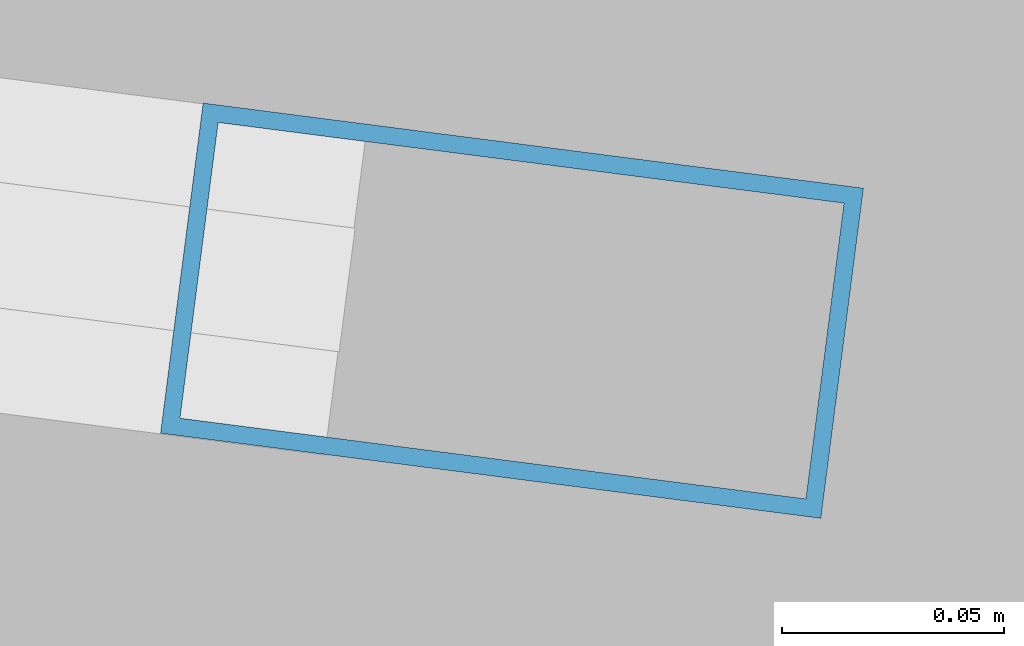
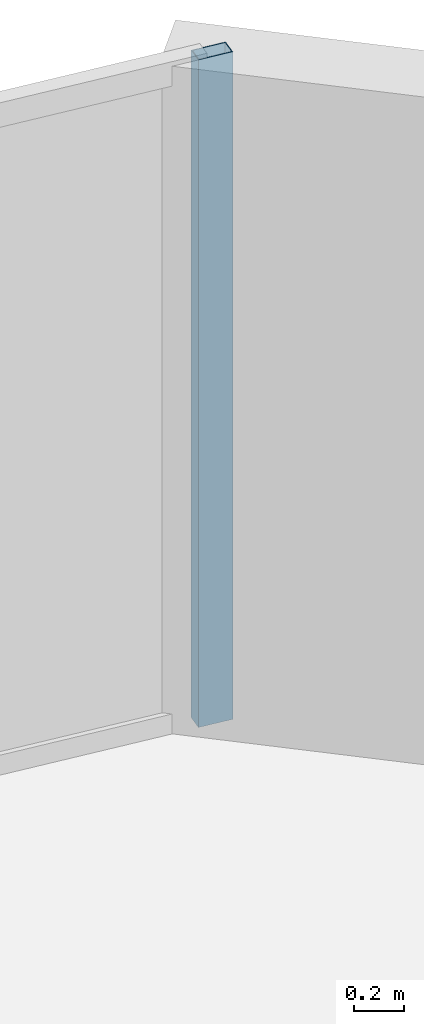
# One storey, part 21 of 30: 1 member, 1 element without a shape of its own.
"""IFC4 building model written with IfcOpenShell, lengths in metres."""

from ifc_helpers import new_model, si_unit, direction, frame, origin, origin_2d, place, context, subcontext, project, spatial, hollow_rectangle, extrude, material, layer, layer_set, material_profile, profile_set, type_object, element, aggregate, save


model = new_model("IFC4")

# Units and contexts
model_context = context("Model", 3, precision=1e-05, world=origin(), true_north=direction((0.0, 1.0)))
body_context = subcontext(model_context, "Body", "Model", "MODEL_VIEW")
ifc_project = project(units=[si_unit("LENGTHUNIT", "METRE"), si_unit("AREAUNIT", "SQUARE_METRE"), si_unit("VOLUMEUNIT", "CUBIC_METRE"), si_unit("PLANEANGLEUNIT", "RADIAN"), si_unit("MASSUNIT", "GRAM", prefix="KILO")], contexts=[model_context])

# Site, building, storey
site_placement = place(None, origin())
site = spatial("IfcSite", under=ifc_project, at=site_placement, CompositionType="ELEMENT")
building_placement = place(site_placement, origin())
building = spatial("IfcBuilding", under=site, at=building_placement, Name="Kazevale Care Tower and Concert Hall", CompositionType="ELEMENT")
storey_placement = place(building_placement, frame((0.0, 0.0, 88.800048828125)))
storey = spatial("IfcBuildingStorey", under=building, at=storey_placement, Name="L23", CompositionType="ELEMENT", Elevation=88.800048828125)

# Curtain wall, member
ifc_material_1 = material(Name="Aluminium 6063-T6 and Low-E Glass", Category="aluminium")
ifc_layer = layer(ifc_material_1, 0.179931640625)
ifc_layer_set = layer_set([ifc_layer], Name="Aluminium 6063-T6 and Low-E Glass")
curtain_wall_type = type_object("IfcCurtainWallType", Name="Convex Recessed Sunroom Curtain Wall CW-3", PredefinedType="NOTDEFINED", material=ifc_layer_set)
curtain_wall_placement = place(storey_placement, origin())
curtain_wall = element("IfcCurtainWall", 1, at=curtain_wall_placement, inside=storey, type_object=curtain_wall_type, Name="cw:L23:f16", PredefinedType="NOTDEFINED")
ifc_material_2 = material(Name="Aluminium 6063-T6", Category="aluminium")
ifc_material_profile = material_profile(ifc_material_2, hollow_rectangle(XDim=0.074951171875, YDim=0.14990234375, WallThickness=0.00390625, at=origin_2d()), Name="ALU75x150x4")
ifc_profile_set = profile_set([ifc_material_profile], Name="Aluminium 6063-T6")
member_type = type_object("IfcMemberType", Name="CW-3 Mullion ALU75x150x4", PredefinedType="MULLION", material=ifc_profile_set)
member_placement = place(storey_placement, frame((63.619873046875, 61.826904296875, 0.0), z_axis=(0.0, 0.0, 1.0), x_axis=(0.127869904852, 0.991790949461, 0.0)))
member = element("IfcMember", 2, at=member_placement, type_object=member_type, Name="CW-3 mullion 2", PredefinedType="MULLION", context=body_context, shape_type="SweptSolid", body=[
    extrude(hollow_rectangle(XDim=0.074951171875, YDim=0.14990234375, WallThickness=0.00390625, at=origin_2d()), origin(), (0.0, 0.0, 1.0), 3.280029296875),
])
aggregate(curtain_wall, [member])

save(model, "model.ifc")
